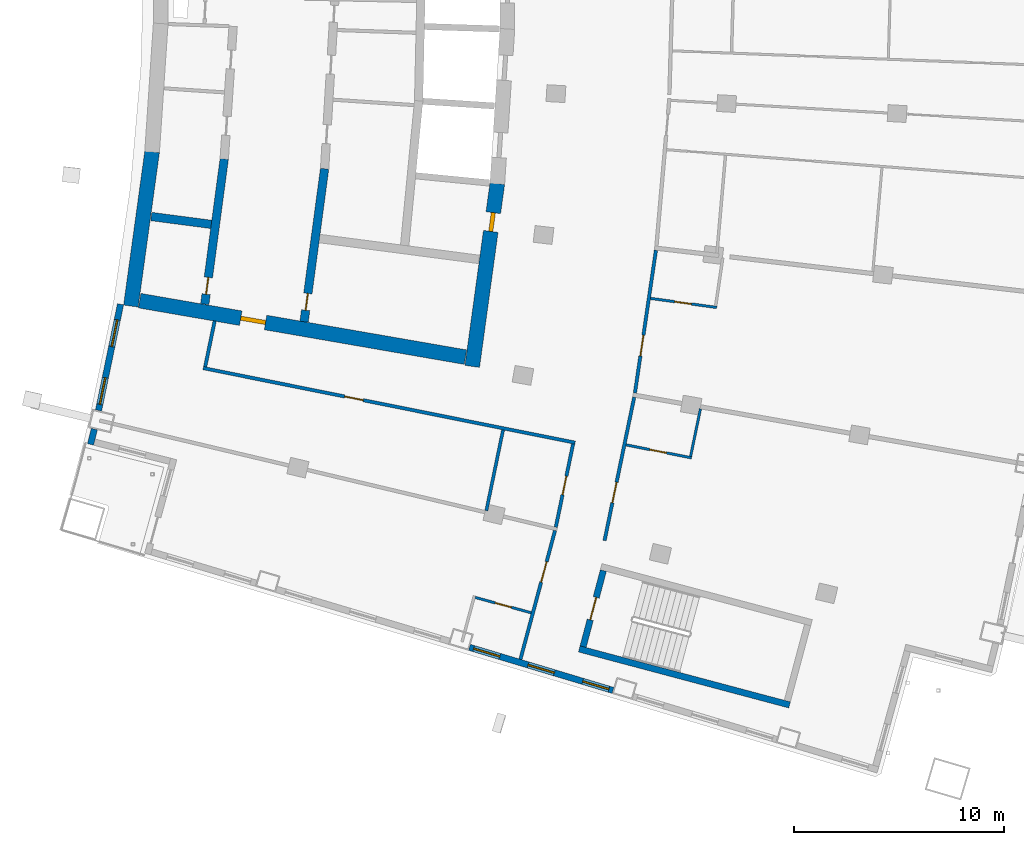
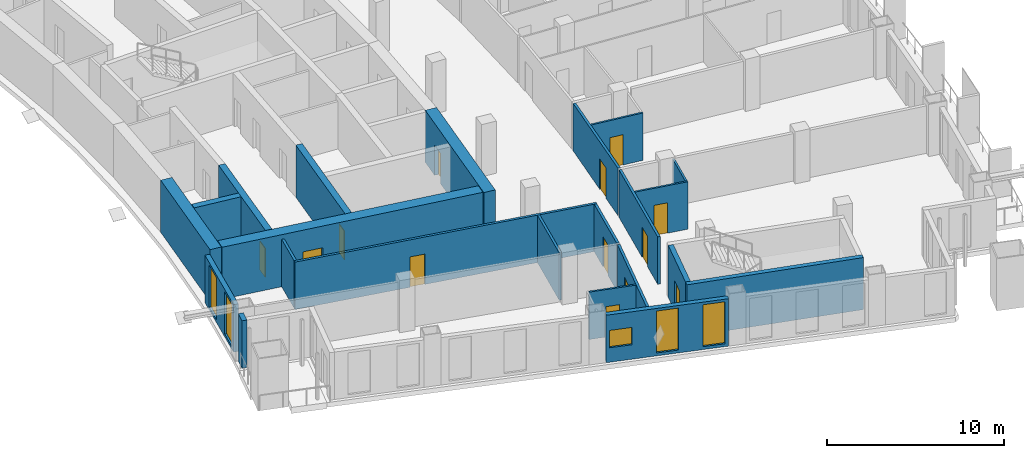
# One storey, part 11 of 21: 22 walls, 13 doors, 5 windows, 18 openings.
"""IFC4 building model written with IfcOpenShell, lengths in metres."""

from ifc_helpers import new_model, si_unit, direction, frame, frame_2d, origin, place, context, subcontext, project, spatial, rectangle, extrude, material, layer, layer_set, type_object, element, fill, save


model = new_model("IFC4")

# Units and contexts
model_context = context("Model", 3, precision=1e-05, world=origin(), true_north=direction((0.0, 1.0)))
body_context = subcontext(model_context, "Body", "Model", "MODEL_VIEW")
ifc_project = project(units=[si_unit("LENGTHUNIT", "METRE"), si_unit("AREAUNIT", "SQUARE_METRE"), si_unit("VOLUMEUNIT", "CUBIC_METRE"), si_unit("PLANEANGLEUNIT", "RADIAN"), si_unit("MASSUNIT", "GRAM", prefix="KILO")], contexts=[model_context])

# Site, building, storey
site_placement = place(None, origin())
site = spatial("IfcSite", under=ifc_project, at=site_placement, CompositionType="ELEMENT")
building_placement = place(site_placement, origin())
building = spatial("IfcBuilding", under=site, at=building_placement, Name="Alderwake Tower", CompositionType="ELEMENT")
storey_placement = place(building_placement, frame((0.0, 0.0, 146.0)))
storey = spatial("IfcBuildingStorey", under=building, at=storey_placement, Name="L35", CompositionType="ELEMENT", Elevation=146.0)

# Wall
ifc_material_1 = material(Name="Concrete C70/85", Category="concrete")
ifc_layer_1 = layer(ifc_material_1, 0.699951171875)
ifc_layer_set_1 = layer_set([ifc_layer_1], Name="Core wall outer 700 C70-85")
wall_type_1 = type_object("IfcWallType", Name="Core wall outer 700 C70-85", PredefinedType="SHEAR", material=ifc_layer_set_1)
wall_1_placement = place(storey_placement, frame((15.370849609375, 44.1376953125, 0.0), z_axis=(0.0, 0.0, 1.0), x_axis=(0.136315619812, 0.99066545907, 0.0)))
element("IfcWall", 1, at=wall_1_placement, inside=storey, type_object=wall_type_1, Name="Core wall CW.042", PredefinedType="SHEAR", context=body_context, shape_type="SweptSolid", body=[
    extrude(rectangle(XDim=7.420166015625, YDim=0.699951171875, at=frame_2d((3.7099609375, 0.0))), origin(), (0.0, 0.0, 1.0), 3.60009765625),
])

# Wall, opening, door
wall_2_placement = place(storey_placement, frame((32.81298828125, 49.97412109375, 0.0), z_axis=(0.0, 0.0, 1.0), x_axis=(-0.135835706655, -0.99073137671, 0.0)))
wall_2 = element("IfcWall", 2, at=wall_2_placement, inside=storey, type_object=wall_type_1, Name="Core wall CW.012", PredefinedType="SHEAR", context=body_context, shape_type="SweptSolid", body=[
    extrude(rectangle(XDim=8.790771484375, YDim=0.699951171875, at=frame_2d((4.3955078125, 0.0))), origin(), (0.0, 0.0, 1.0), 3.60009765625),
])
opening_1_placement = place(wall_2_placement, frame((1.40478515625, 0.0, 0.0)))
opening_1 = element("IfcOpeningElement", 3, at=opening_1_placement, cuts=wall_2, Name="Opening C050", PredefinedType="OPENING", context=body_context, shape_type="SweptSolid", body=[
    extrude(rectangle(XDim=0.89990234375, YDim=2.10009765625, at=frame_2d((0.449951171875, 1.050048828125))), frame((0.0, 0.35986328125, 0.0), z_axis=(0.0, -1.0, 0.0), x_axis=(1.0, 0.0, 0.0)), (0.0, 0.0, 1.0), 0.719970703125),
])
ifc_material_2 = material(Name="Painted steel leaf", Category="steel")
door_type_1 = type_object("IfcDoorType", Name="Core room door 900", OperationType="SINGLE_SWING_LEFT", PredefinedType="DOOR", material=ifc_material_2)
door_1_placement = place(opening_1_placement, origin())
door_1 = element("IfcDoor", 4, at=door_1_placement, inside=storey, type_object=door_type_1, Name="Room door", OperationType="SINGLE_SWING_RIGHT", OverallHeight=2.10009765625, OverallWidth=0.89990234375, PredefinedType="DOOR", context=body_context, shape_type="SweptSolid", body=[
    extrude(rectangle(XDim=0.89990234375, YDim=2.10009765625, at=frame_2d((0.449951171875, 1.050048828125))), frame((0.0, 0.10009765625, 0.0), z_axis=(0.0, -1.0, 0.0), x_axis=(1.0, 0.0, 0.0)), (0.0, 0.0, 1.0), 0.199951171875),
])
fill(opening_1, door_1)

wall_3_placement = place(storey_placement, frame((31.295654296875, 41.705810546875, 0.0), z_axis=(0.0, 0.0, 1.0), x_axis=(-0.985302589944, 0.170818050129, 0.0)))
wall_3 = element("IfcWall", 5, at=wall_3_placement, inside=storey, type_object=wall_type_1, Name="Core wall CW.072", PredefinedType="SHEAR", context=body_context, shape_type="SweptSolid", body=[
    extrude(rectangle(XDim=15.7373046875, YDim=0.699951171875, at=frame_2d((7.86865234375, 0.0))), origin(), (0.0, 0.0, 1.0), 3.60009765625),
])
opening_2_placement = place(wall_3_placement, frame((9.65576171875, 0.0, 0.0)))
opening_2 = element("IfcOpeningElement", 6, at=opening_2_placement, cuts=wall_3, Name="Opening C003", PredefinedType="OPENING", context=body_context, shape_type="SweptSolid", body=[
    extrude(rectangle(XDim=1.199951171875, YDim=2.10009765625, at=frame_2d((0.60009765625, 1.050048828125))), frame((0.0, 0.35986328125, 0.0), z_axis=(0.0, -1.0, 0.0), x_axis=(1.0, 0.0, 0.0)), (0.0, 0.0, 1.0), 0.719970703125),
])
ifc_material_3 = material(Name="Steel-framed fire door leaf", Category="steel")
door_type_2 = type_object("IfcDoorType", Name="Core lobby exit door 1200 fire-rated", OperationType="SINGLE_SWING_LEFT", PredefinedType="DOOR", material=ifc_material_3)
door_2_placement = place(opening_2_placement, origin())
door_2 = element("IfcDoor", 7, at=door_2_placement, inside=storey, type_object=door_type_2, Name="Lobby door", OperationType="SINGLE_SWING_LEFT", OverallHeight=2.10009765625, OverallWidth=1.199951171875, PredefinedType="DOOR", context=body_context, shape_type="SweptSolid", body=[
    extrude(rectangle(XDim=1.199951171875, YDim=2.10009765625, at=frame_2d((0.60009765625, 1.050048828125))), frame((0.0, 0.10009765625, 0.0), z_axis=(0.0, -1.0, 0.0), x_axis=(1.0, 0.0, 0.0)), (0.0, 0.0, 1.0), 0.199951171875),
])
fill(opening_2, door_2)

ifc_material_4 = material(Name="Concrete C70/85", Category="concrete")
ifc_layer_2 = layer(ifc_material_4, 0.39990234375)
ifc_layer_set_2 = layer_set([ifc_layer_2], Name="Core wall spine 400 C70-85")
wall_type_2 = type_object("IfcWallType", Name="Core wall spine 400 C70-85", PredefinedType="SHEAR", material=ifc_layer_set_2)
wall_4_placement = place(storey_placement, frame((19.814697265625, 51.143798828125, 0.0), z_axis=(0.0, 0.0, 1.0), x_axis=(-0.132864871698, -0.991134161387, 0.0)))
wall_4 = element("IfcWall", 8, at=wall_4_placement, inside=storey, type_object=wall_type_2, Name="Core wall CW.033", PredefinedType="SHEAR", context=body_context, shape_type="SweptSolid", body=[
    extrude(rectangle(XDim=6.978759765625, YDim=0.39990234375, at=frame_2d((3.4892578125, 0.0))), origin(), (0.0, 0.0, 1.0), 3.60009765625),
])
opening_3_placement = place(wall_4_placement, frame((5.69677734375, 0.0, 0.0)))
opening_3 = element("IfcOpeningElement", 9, at=opening_3_placement, cuts=wall_4, Name="Opening C007", PredefinedType="OPENING", context=body_context, shape_type="SweptSolid", body=[
    extrude(rectangle(XDim=0.800048828125, YDim=2.0, at=frame_2d((0.39990234375, 1.0))), frame((0.0, 0.2099609375, 0.0), z_axis=(0.0, -1.0, 0.0), x_axis=(1.0, 0.0, 0.0)), (0.0, 0.0, 1.0), 0.419921875),
])
ifc_material_5 = material(Name="Painted steel leaf, rated", Category="steel")
door_type_3 = type_object("IfcDoorType", Name="Riser access door 800", OperationType="SINGLE_SWING_LEFT", PredefinedType="DOOR", material=ifc_material_5)
door_3_placement = place(opening_3_placement, origin())
door_3 = element("IfcDoor", 10, at=door_3_placement, inside=storey, type_object=door_type_3, Name="Riser access door", OperationType="SINGLE_SWING_LEFT", OverallHeight=2.0, OverallWidth=0.800048828125, PredefinedType="DOOR", context=body_context, shape_type="SweptSolid", body=[
    extrude(rectangle(XDim=0.800048828125, YDim=2.0, at=frame_2d((0.39990234375, 1.0))), frame((0.0, 0.02490234375, 0.0), z_axis=(0.0, -1.0, 0.0), x_axis=(1.0, 0.0, 0.0)), (0.0, 0.0, 1.0), 0.050048828125),
])
fill(opening_3, door_3)

wall_5_placement = place(storey_placement, frame((23.6142578125, 43.390869140625, 0.0), z_axis=(0.0, 0.0, 1.0), x_axis=(0.133023466616, 0.991112888287, 0.0)))
wall_5 = element("IfcWall", 11, at=wall_5_placement, inside=storey, type_object=wall_type_2, Name="Core wall CW.047", PredefinedType="SHEAR", context=body_context, shape_type="SweptSolid", body=[
    extrude(rectangle(XDim=7.3466796875, YDim=0.39990234375, at=frame_2d((3.67333984375, 0.0))), origin(), (0.0, 0.0, 1.0), 3.60009765625),
])
opening_4_placement = place(wall_5_placement, frame((0.557861328125, 0.0, 0.0)))
opening_4 = element("IfcOpeningElement", 12, at=opening_4_placement, cuts=wall_5, Name="Opening C014", PredefinedType="OPENING", context=body_context, shape_type="SweptSolid", body=[
    extrude(rectangle(XDim=0.800048828125, YDim=2.0, at=frame_2d((0.39990234375, 1.0))), frame((0.0, 0.2099609375, 0.0), z_axis=(0.0, -1.0, 0.0), x_axis=(1.0, 0.0, 0.0)), (0.0, 0.0, 1.0), 0.419921875),
])
door_4_placement = place(opening_4_placement, origin())
door_4 = element("IfcDoor", 13, at=door_4_placement, inside=storey, type_object=door_type_3, Name="Riser access door", OperationType="SINGLE_SWING_RIGHT", OverallHeight=2.0, OverallWidth=0.800048828125, PredefinedType="DOOR", context=body_context, shape_type="SweptSolid", body=[
    extrude(rectangle(XDim=0.800048828125, YDim=2.0, at=frame_2d((0.39990234375, 1.0))), frame((0.0, 0.02490234375, 0.0), z_axis=(0.0, -1.0, 0.0), x_axis=(1.0, 0.0, 0.0)), (0.0, 0.0, 1.0), 0.050048828125),
])
fill(opening_4, door_4)

# Walls
wall_6_placement = place(storey_placement, frame((16.3408203125, 48.3994140625, 0.0), z_axis=(0.0, 0.0, 1.0), x_axis=(0.991544987266, -0.129763393253, 0.0)))
element("IfcWall", 14, at=wall_6_placement, inside=storey, type_object=wall_type_2, Name="Core wall CW.067", PredefinedType="SHEAR", context=body_context, shape_type="SweptSolid", body=[
    extrude(rectangle(XDim=2.878662109375, YDim=0.39990234375, at=frame_2d((1.439453125, 0.0))), origin(), (0.0, 0.0, 1.0), 3.60009765625),
])
ifc_material_6 = material(Name="Concrete C70/85", Category="concrete")
ifc_layer_3 = layer(ifc_material_6, 0.300048828125)
ifc_layer_set_3 = layer_set([ifc_layer_3], Name="Core wall stair enclosure 300 C70-85")
wall_type_3 = type_object("IfcWallType", Name="Core wall stair enclosure 300 C70-85", PredefinedType="SHEAR", material=ifc_layer_set_3)
wall_7_placement = place(storey_placement, frame((36.71142578125, 27.817626953125, 0.0), z_axis=(0.0, 0.0, 1.0), x_axis=(0.966309214305, -0.257383958996, 0.0)))
element("IfcWall", 15, at=wall_7_placement, inside=storey, type_object=wall_type_3, Name="Core wall CW.088", PredefinedType="SHEAR", context=body_context, shape_type="SweptSolid", body=[
    extrude(rectangle(XDim=10.360107421875, YDim=0.300048828125, at=frame_2d((5.18017578125, 0.0))), origin(), (0.0, 0.0, 1.0), 3.60009765625),
])

# Wall, opening, door
wall_8_placement = place(storey_placement, frame((36.89501953125, 27.923828125, 0.0), z_axis=(0.0, 0.0, 1.0), x_axis=(0.257350630826, 0.966318090907, 0.0)))
wall_8 = element("IfcWall", 16, at=wall_8_placement, inside=storey, type_object=wall_type_3, Name="Core wall CW.087", PredefinedType="SHEAR", context=body_context, shape_type="SweptSolid", body=[
    extrude(rectangle(XDim=3.75, YDim=0.300048828125, at=frame_2d((1.875, 0.0))), origin(), (0.0, 0.0, 1.0), 3.60009765625),
])
opening_5_placement = place(wall_8_placement, frame((1.324951171875, 0.0, 0.0)))
opening_5 = element("IfcOpeningElement", 17, at=opening_5_placement, cuts=wall_8, Name="Opening C065", PredefinedType="OPENING", context=body_context, shape_type="SweptSolid", body=[
    extrude(rectangle(XDim=1.10009765625, YDim=2.10009765625, at=frame_2d((0.550048828125, 1.050048828125))), frame((0.0, 0.159912109375, 0.0), z_axis=(0.0, -1.0, 0.0), x_axis=(1.0, 0.0, 0.0)), (0.0, 0.0, 1.0), 0.320068359375),
])
ifc_material_7 = material(Name="Steel-framed fire door leaf", Category="steel")
door_type_4 = type_object("IfcDoorType", Name="Core stair door 1100 fire-rated", OperationType="SINGLE_SWING_LEFT", PredefinedType="DOOR", material=ifc_material_7)
door_5_placement = place(opening_5_placement, origin())
door_5 = element("IfcDoor", 18, at=door_5_placement, inside=storey, type_object=door_type_4, Name="Stair door", OperationType="SINGLE_SWING_LEFT", OverallHeight=2.10009765625, OverallWidth=1.10009765625, PredefinedType="DOOR", context=body_context, shape_type="SweptSolid", body=[
    extrude(rectangle(XDim=1.10009765625, YDim=2.10009765625, at=frame_2d((0.550048828125, 1.050048828125))), frame((0.0, 0.02490234375, 0.0), z_axis=(0.0, -1.0, 0.0), x_axis=(1.0, 0.0, 0.0)), (0.0, 0.0, 1.0), 0.050048828125),
])
fill(opening_5, door_5)

ifc_material_8 = material(Name="Gypsum board on metal studs, rated")
ifc_layer_4 = layer(ifc_material_8, 0.159912109375)
ifc_layer_set_4 = layer_set([ifc_layer_4], Name="Corridor wall 160")
wall_type_4 = type_object("IfcWallType", Name="Corridor wall 160", PredefinedType="PARTITIONING", material=ifc_layer_set_4)
wall_9_placement = place(storey_placement, frame((36.513427734375, 37.63427734375, 0.0), z_axis=(0.0, 0.0, 1.0), x_axis=(-0.980470254867, 0.1966674333, 0.0)))
wall_9 = element("IfcWall", 19, at=wall_9_placement, inside=storey, type_object=wall_type_4, Name="WL/L35/W12", PredefinedType="PARTITIONING", context=body_context, shape_type="SweptSolid", body=[
    extrude(rectangle(XDim=18.053466796875, YDim=0.159912109375, at=frame_2d((9.02685546875, 0.0))), origin(), (0.0, 0.0, 1.0), 3.280029296875),
])
opening_6_placement = place(wall_9_placement, frame((10.277099609375, 0.0, 0.0)))
opening_6 = element("IfcOpeningElement", 20, at=opening_6_placement, cuts=wall_9, Name="Opening R09-SBS1", PredefinedType="OPENING", context=body_context, shape_type="SweptSolid", body=[
    extrude(rectangle(XDim=0.89990234375, YDim=2.10009765625, at=frame_2d((0.449951171875, 1.050048828125))), frame((0.0, 0.08984375, 0.0), z_axis=(0.0, -1.0, 0.0), x_axis=(1.0, 0.0, 0.0)), (0.0, 0.0, 1.0), 0.179931640625),
])
ifc_material_9 = material(Name="Painted timber leaf", Category="wood")
door_type_5 = type_object("IfcDoorType", Name="Room door 900", OperationType="SINGLE_SWING_LEFT", PredefinedType="DOOR", material=ifc_material_9)
door_6_placement = place(opening_6_placement, origin())
door_6 = element("IfcDoor", 21, at=door_6_placement, inside=storey, type_object=door_type_5, Name="DR/L35/SBS1", OperationType="SINGLE_SWING_LEFT", OverallHeight=2.10009765625, OverallWidth=0.89990234375, PredefinedType="DOOR", context=body_context, shape_type="SweptSolid", body=[
    extrude(rectangle(XDim=0.89990234375, YDim=2.10009765625, at=frame_2d((0.449951171875, 1.050048828125))), frame((0.0, 0.02490234375, 0.0), z_axis=(0.0, -1.0, 0.0), x_axis=(1.0, 0.0, 0.0)), (0.0, 0.0, 1.0), 0.050048828125),
])
fill(opening_6, door_6)

# Wall
wall_10_placement = place(storey_placement, frame((19.35888671875, 43.430908203125, 0.0), z_axis=(0.0, 0.0, 1.0), x_axis=(-0.202554916658, -0.979270905183, 0.0)))
element("IfcWall", 22, at=wall_10_placement, inside=storey, type_object=wall_type_4, Name="WL/L35/W13", PredefinedType="PARTITIONING", context=body_context, shape_type="SweptSolid", body=[
    extrude(rectangle(XDim=2.229736328125, YDim=0.159912109375, at=frame_2d((1.11474609375, 0.0))), origin(), (0.0, 0.0, 1.0), 3.280029296875),
])

# Wall, opening, door
wall_11_placement = place(storey_placement, frame((33.912109375, 27.321044921875, 0.0), z_axis=(0.0, 0.0, 1.0), x_axis=(0.259370874835, 0.965777794986, 0.0)))
wall_11 = element("IfcWall", 23, at=wall_11_placement, inside=storey, type_object=wall_type_4, Name="WL/L35/W16", PredefinedType="PARTITIONING", context=body_context, shape_type="SweptSolid", body=[
    extrude(rectangle(XDim=6.349853515625, YDim=0.159912109375, at=frame_2d((3.1748046875, 0.0))), origin(), (0.0, 0.0, 1.0), 3.280029296875),
])
opening_7_placement = place(wall_11_placement, frame((3.811279296875, 0.0, 0.0)))
opening_7 = element("IfcOpeningElement", 24, at=opening_7_placement, cuts=wall_11, Name="Opening R09-U08.1", PredefinedType="OPENING", context=body_context, shape_type="SweptSolid", body=[
    extrude(rectangle(XDim=1.0, YDim=2.10009765625, at=frame_2d((0.5, 1.050048828125))), frame((0.0, 0.08984375, 0.0), z_axis=(0.0, -1.0, 0.0), x_axis=(1.0, 0.0, 0.0)), (0.0, 0.0, 1.0), 0.179931640625),
])
ifc_material_10 = material(Name="Solid timber leaf in steel frame", Category="steel")
door_type_6 = type_object("IfcDoorType", Name="Flat entrance door 1000 fire-rated", OperationType="SINGLE_SWING_LEFT", PredefinedType="DOOR", material=ifc_material_10)
door_7_placement = place(opening_7_placement, origin())
door_7 = element("IfcDoor", 25, at=door_7_placement, inside=storey, type_object=door_type_6, Name="DR/L35/U08.1", OperationType="SINGLE_SWING_LEFT", OverallHeight=2.10009765625, OverallWidth=1.0, PredefinedType="DOOR", context=body_context, shape_type="SweptSolid", body=[
    extrude(rectangle(XDim=1.0, YDim=2.10009765625, at=frame_2d((0.5, 1.050048828125))), frame((0.0, 0.02490234375, 0.0), z_axis=(0.0, -1.0, 0.0), x_axis=(1.0, 0.0, 0.0)), (0.0, 0.0, 1.0), 0.050048828125),
])
fill(opening_7, door_7)

wall_12_placement = place(storey_placement, frame((35.59619140625, 33.609375, 0.0), z_axis=(0.0, 0.0, 1.0), x_axis=(0.203245920818, 0.979127721838, 0.0)))
wall_12 = element("IfcWall", 26, at=wall_12_placement, inside=storey, type_object=wall_type_4, Name="WL/L35/W19", PredefinedType="PARTITIONING", context=body_context, shape_type="SweptSolid", body=[
    extrude(rectangle(XDim=4.046875, YDim=0.159912109375, at=frame_2d((2.0234375, 0.0))), origin(), (0.0, 0.0, 1.0), 3.280029296875),
])
opening_8_placement = place(wall_12_placement, frame((1.573486328125, 0.0, 0.0)))
opening_8 = element("IfcOpeningElement", 27, at=opening_8_placement, cuts=wall_12, Name="Opening R09-SBS2", PredefinedType="OPENING", context=body_context, shape_type="SweptSolid", body=[
    extrude(rectangle(XDim=0.89990234375, YDim=2.10009765625, at=frame_2d((0.449951171875, 1.050048828125))), frame((0.0, 0.08984375, 0.0), z_axis=(0.0, -1.0, 0.0), x_axis=(1.0, 0.0, 0.0)), (0.0, 0.0, 1.0), 0.179931640625),
])
door_8_placement = place(opening_8_placement, origin())
door_8 = element("IfcDoor", 28, at=door_8_placement, inside=storey, type_object=door_type_5, Name="DR/L35/SBS2", OperationType="SINGLE_SWING_LEFT", OverallHeight=2.10009765625, OverallWidth=0.89990234375, PredefinedType="DOOR", context=body_context, shape_type="SweptSolid", body=[
    extrude(rectangle(XDim=0.89990234375, YDim=2.10009765625, at=frame_2d((0.449951171875, 1.050048828125))), frame((0.0, 0.02490234375, 0.0), z_axis=(0.0, -1.0, 0.0), x_axis=(1.0, 0.0, 0.0)), (0.0, 0.0, 1.0), 0.050048828125),
])
fill(opening_8, door_8)

wall_13_placement = place(storey_placement, frame((39.32763671875, 39.799072265625, 0.0), z_axis=(0.0, 0.0, 1.0), x_axis=(-0.202466556983, -0.979289177569, 0.0)))
wall_13 = element("IfcWall", 29, at=wall_13_placement, inside=storey, type_object=wall_type_4, Name="WL/L35/W21", PredefinedType="PARTITIONING", context=body_context, shape_type="SweptSolid", body=[
    extrude(rectangle(XDim=6.96728515625, YDim=0.159912109375, at=frame_2d((3.483642578125, 0.0))), origin(), (0.0, 0.0, 1.0), 3.280029296875),
])
opening_9_placement = place(wall_13_placement, frame((4.134765625, 0.0, 0.0)))
opening_9 = element("IfcOpeningElement", 30, at=opening_9_placement, cuts=wall_13, Name="Opening R09-U03.1", PredefinedType="OPENING", context=body_context, shape_type="SweptSolid", body=[
    extrude(rectangle(XDim=1.0, YDim=2.10009765625, at=frame_2d((0.5, 1.050048828125))), frame((0.0, 0.08984375, 0.0), z_axis=(0.0, -1.0, 0.0), x_axis=(1.0, 0.0, 0.0)), (0.0, 0.0, 1.0), 0.179931640625),
])
door_9_placement = place(opening_9_placement, origin())
door_9 = element("IfcDoor", 31, at=door_9_placement, inside=storey, type_object=door_type_6, Name="DR/L35/U03.1", OperationType="SINGLE_SWING_LEFT", OverallHeight=2.10009765625, OverallWidth=1.0, PredefinedType="DOOR", context=body_context, shape_type="SweptSolid", body=[
    extrude(rectangle(XDim=1.0, YDim=2.10009765625, at=frame_2d((0.5, 1.050048828125))), frame((0.0, 0.02490234375, 0.0), z_axis=(0.0, -1.0, 0.0), x_axis=(1.0, 0.0, 0.0)), (0.0, 0.0, 1.0), 0.050048828125),
])
fill(opening_9, door_9)

wall_14_placement = place(storey_placement, frame((40.3623046875, 46.7939453125, 0.0), z_axis=(0.0, 0.0, 1.0), x_axis=(-0.1455042199, -0.989357630987, 0.0)))
wall_14 = element("IfcWall", 32, at=wall_14_placement, inside=storey, type_object=wall_type_4, Name="WL/L35/W22", PredefinedType="PARTITIONING", context=body_context, shape_type="SweptSolid", body=[
    extrude(rectangle(XDim=6.87109375, YDim=0.159912109375, at=frame_2d((3.435546875, 0.0))), origin(), (0.0, 0.0, 1.0), 3.280029296875),
])
opening_10_placement = place(wall_14_placement, frame((4.087890625, 0.0, 0.0)))
opening_10 = element("IfcOpeningElement", 33, at=opening_10_placement, cuts=wall_14, Name="Opening R09-U04.1", PredefinedType="OPENING", context=body_context, shape_type="SweptSolid", body=[
    extrude(rectangle(XDim=1.0, YDim=2.10009765625, at=frame_2d((0.5, 1.050048828125))), frame((0.0, 0.08984375, 0.0), z_axis=(0.0, -1.0, 0.0), x_axis=(1.0, 0.0, 0.0)), (0.0, 0.0, 1.0), 0.179931640625),
])
door_10_placement = place(opening_10_placement, origin())
door_10 = element("IfcDoor", 34, at=door_10_placement, inside=storey, type_object=door_type_6, Name="DR/L35/U04.1", OperationType="SINGLE_SWING_LEFT", OverallHeight=2.10009765625, OverallWidth=1.0, PredefinedType="DOOR", context=body_context, shape_type="SweptSolid", body=[
    extrude(rectangle(XDim=1.0, YDim=2.10009765625, at=frame_2d((0.5, 1.050048828125))), frame((0.0, 0.02490234375, 0.0), z_axis=(0.0, -1.0, 0.0), x_axis=(1.0, 0.0, 0.0)), (0.0, 0.0, 1.0), 0.050048828125),
])
fill(opening_10, door_10)

# Wall
ifc_material_11 = material(Name="Precast concrete C50/60 spandrel panel", Category="concrete")
ifc_layer_5 = layer(ifc_material_11, 0.300048828125)
ifc_layer_set_5 = layer_set([ifc_layer_5], Name="External wall EW1 Precast concrete C50/60 spandrel")
wall_type_5 = type_object("IfcWallType", Name="External wall EW1 Precast concrete C50/60 spandrel", PredefinedType="SOLIDWALL", material=ifc_layer_set_5)
wall_15_placement = place(storey_placement, frame((13.63134765625, 38.28271484375, 0.0), z_axis=(0.0, 0.0, 1.0), x_axis=(-0.238336947214, -0.971182526404, 0.0)))
element("IfcWall", 35, at=wall_15_placement, inside=storey, type_object=wall_type_5, Name="External wall 1", PredefinedType="SOLIDWALL", context=body_context, shape_type="SweptSolid", body=[
    extrude(rectangle(XDim=0.7529296875, YDim=0.300048828125, at=frame_2d((0.37646484375, 0.0))), origin(), (0.0, 0.0, 1.0), 3.280029296875),
])

# Wall, openings, windows
wall_16_placement = place(storey_placement, frame((14.878173828125, 44.223388671875, 0.0), z_axis=(0.0, 0.0, 1.0), x_axis=(-0.202754243564, -0.979229654737, 0.0)))
wall_16 = element("IfcWall", 36, at=wall_16_placement, inside=storey, type_object=wall_type_5, Name="External wall 32", PredefinedType="SOLIDWALL", context=body_context, shape_type="SweptSolid", body=[
    extrude(rectangle(XDim=5.15966796875, YDim=0.300048828125, at=frame_2d((2.579833984375, 0.0))), origin(), (0.0, 0.0, 1.0), 3.280029296875),
])
opening_11_placement = place(wall_16_placement, frame((0.75634765625, 0.0, 0.199951171875)))
opening_11 = element("IfcOpeningElement", 37, at=opening_11_placement, cuts=wall_16, Name="Opening W1", PredefinedType="OPENING", context=body_context, shape_type="SweptSolid", body=[
    extrude(rectangle(XDim=1.300048828125, YDim=2.89990234375, at=frame_2d((0.64990234375, 1.449951171875))), frame((0.0, 0.159912109375, 0.0), z_axis=(0.0, -1.0, 0.0), x_axis=(1.0, 0.0, 0.0)), (0.0, 0.0, 1.0), 0.320068359375),
])
opening_12_placement = place(wall_16_placement, frame((3.569091796875, 0.0, 0.199951171875)))
opening_12 = element("IfcOpeningElement", 38, at=opening_12_placement, cuts=wall_16, Name="Opening W1", PredefinedType="OPENING", context=body_context, shape_type="SweptSolid", body=[
    extrude(rectangle(XDim=1.300048828125, YDim=2.89990234375, at=frame_2d((0.64990234375, 1.449951171875))), frame((0.0, 0.159912109375, 0.0), z_axis=(0.0, -1.0, 0.0), x_axis=(1.0, 0.0, 0.0)), (0.0, 0.0, 1.0), 0.320068359375),
])
ifc_material_12 = material(Name="Bronze tinted glass in aluminium frame", Category="aluminium")
window_type_1 = type_object("IfcWindowType", Name="Window W1 tall fixed and vent", PartitioningType="DOUBLE_PANEL_VERTICAL", PredefinedType="WINDOW", material=ifc_material_12)
window_1_placement = place(opening_11_placement, origin())
window_1 = element("IfcWindow", 39, at=window_1_placement, inside=storey, type_object=window_type_1, Name="Window W1 tall fixed and vent", OverallHeight=2.89990234375, OverallWidth=1.300048828125, PartitioningType="DOUBLE_PANEL_VERTICAL", PredefinedType="WINDOW", context=body_context, shape_type="SweptSolid", body=[
    extrude(rectangle(XDim=1.300048828125, YDim=2.89990234375, at=frame_2d((0.64990234375, 1.449951171875))), frame((0.0, 0.030029296875, 0.0), z_axis=(0.0, -1.0, 0.0), x_axis=(1.0, 0.0, 0.0)), (0.0, 0.0, 1.0), 0.06005859375),
])
fill(opening_11, window_1)
window_2_placement = place(opening_12_placement, origin())
window_2 = element("IfcWindow", 40, at=window_2_placement, inside=storey, type_object=window_type_1, Name="Window W1 tall fixed and vent", OverallHeight=2.89990234375, OverallWidth=1.300048828125, PartitioningType="DOUBLE_PANEL_VERTICAL", PredefinedType="WINDOW", context=body_context, shape_type="SweptSolid", body=[
    extrude(rectangle(XDim=1.300048828125, YDim=2.89990234375, at=frame_2d((0.64990234375, 1.449951171875))), frame((0.0, 0.030029296875, 0.0), z_axis=(0.0, -1.0, 0.0), x_axis=(1.0, 0.0, 0.0)), (0.0, 0.0, 1.0), 0.06005859375),
])
fill(opening_12, window_2)

ifc_material_13 = material(Name="Bronze metal cladding on lightweight framing")
ifc_layer_6 = layer(ifc_material_13, 0.300048828125)
ifc_layer_set_6 = layer_set([ifc_layer_6], Name="External wall EW2 bronze metal cladding")
wall_type_6 = type_object("IfcWallType", Name="External wall EW2 bronze metal cladding", PredefinedType="SOLIDWALL", material=ifc_layer_set_6)
wall_17_placement = place(storey_placement, frame((31.4892578125, 27.89306640625, 0.0), z_axis=(0.0, 0.0, 1.0), x_axis=(0.957766887781, -0.287545802735, 0.0)))
wall_17 = element("IfcWall", 41, at=wall_17_placement, inside=storey, type_object=wall_type_6, Name="External wall 6", PredefinedType="SOLIDWALL", context=body_context, shape_type="SweptSolid", body=[
    extrude(rectangle(XDim=7.12939453125, YDim=0.300048828125, at=frame_2d((3.564697265625, 0.0))), origin(), (0.0, 0.0, 1.0), 3.280029296875),
])
opening_13_placement = place(wall_17_placement, frame((0.20361328125, 0.0, 1.0)))
opening_13 = element("IfcOpeningElement", 42, at=opening_13_placement, cuts=wall_17, Name="Opening W2", PredefinedType="OPENING", context=body_context, shape_type="SweptSolid", body=[
    extrude(rectangle(XDim=1.300048828125, YDim=1.199951171875, at=frame_2d((0.64990234375, 0.60009765625))), frame((0.0, 0.159912109375, 0.0), z_axis=(0.0, -1.0, 0.0), x_axis=(1.0, 0.0, 0.0)), (0.0, 0.0, 1.0), 0.320068359375),
])
opening_14_placement = place(wall_17_placement, frame((2.91455078125, 0.0, 0.199951171875)))
opening_14 = element("IfcOpeningElement", 43, at=opening_14_placement, cuts=wall_17, Name="Opening W1", PredefinedType="OPENING", context=body_context, shape_type="SweptSolid", body=[
    extrude(rectangle(XDim=1.300048828125, YDim=2.89990234375, at=frame_2d((0.64990234375, 1.449951171875))), frame((0.0, 0.159912109375, 0.0), z_axis=(0.0, -1.0, 0.0), x_axis=(1.0, 0.0, 0.0)), (0.0, 0.0, 1.0), 0.320068359375),
])
opening_15_placement = place(wall_17_placement, frame((5.625732421875, 0.0, 0.199951171875)))
opening_15 = element("IfcOpeningElement", 44, at=opening_15_placement, cuts=wall_17, Name="Opening W1", PredefinedType="OPENING", context=body_context, shape_type="SweptSolid", body=[
    extrude(rectangle(XDim=1.300048828125, YDim=2.89990234375, at=frame_2d((0.64990234375, 1.449951171875))), frame((0.0, 0.159912109375, 0.0), z_axis=(0.0, -1.0, 0.0), x_axis=(1.0, 0.0, 0.0)), (0.0, 0.0, 1.0), 0.320068359375),
])
window_3_placement = place(opening_14_placement, origin())
window_3 = element("IfcWindow", 45, at=window_3_placement, inside=storey, type_object=window_type_1, Name="Window W1 tall fixed and vent", OverallHeight=2.89990234375, OverallWidth=1.300048828125, PartitioningType="DOUBLE_PANEL_VERTICAL", PredefinedType="WINDOW", context=body_context, shape_type="SweptSolid", body=[
    extrude(rectangle(XDim=1.300048828125, YDim=2.89990234375, at=frame_2d((0.64990234375, 1.449951171875))), frame((0.0, 0.030029296875, 0.0), z_axis=(0.0, -1.0, 0.0), x_axis=(1.0, 0.0, 0.0)), (0.0, 0.0, 1.0), 0.06005859375),
])
fill(opening_14, window_3)
window_4_placement = place(opening_15_placement, origin())
window_4 = element("IfcWindow", 46, at=window_4_placement, inside=storey, type_object=window_type_1, Name="Window W1 tall fixed and vent", OverallHeight=2.89990234375, OverallWidth=1.300048828125, PartitioningType="DOUBLE_PANEL_VERTICAL", PredefinedType="WINDOW", context=body_context, shape_type="SweptSolid", body=[
    extrude(rectangle(XDim=1.300048828125, YDim=2.89990234375, at=frame_2d((0.64990234375, 1.449951171875))), frame((0.0, 0.030029296875, 0.0), z_axis=(0.0, -1.0, 0.0), x_axis=(1.0, 0.0, 0.0)), (0.0, 0.0, 1.0), 0.06005859375),
])
fill(opening_15, window_4)
ifc_material_14 = material(Name="Bronze tinted glass in aluminium frame", Category="aluminium")
window_type_2 = type_object("IfcWindowType", Name="Window W2 kitchen and bath", PartitioningType="SINGLE_PANEL", PredefinedType="WINDOW", material=ifc_material_14)
window_5_placement = place(opening_13_placement, origin())
window_5 = element("IfcWindow", 47, at=window_5_placement, inside=storey, type_object=window_type_2, Name="Window W2 kitchen and bath", OverallHeight=1.199951171875, OverallWidth=1.300048828125, PartitioningType="SINGLE_PANEL", PredefinedType="WINDOW", context=body_context, shape_type="SweptSolid", body=[
    extrude(rectangle(XDim=1.300048828125, YDim=1.199951171875, at=frame_2d((0.64990234375, 0.60009765625))), frame((0.0, 0.030029296875, 0.0), z_axis=(0.0, -1.0, 0.0), x_axis=(1.0, 0.0, 0.0)), (0.0, 0.0, 1.0), 0.06005859375),
])
fill(opening_13, window_5)

# Wall
ifc_material_15 = material(Name="Gypsum shaft wall system, rated")
ifc_layer_7 = layer(ifc_material_15, 0.14990234375)
ifc_layer_set_7 = layer_set([ifc_layer_7], Name="Riser and shaft wall 150")
wall_type_7 = type_object("IfcWallType", Name="Riser and shaft wall 150", PredefinedType="PARTITIONING", material=ifc_layer_set_7)
wall_18_placement = place(storey_placement, frame((32.290283203125, 34.3955078125, 0.0), z_axis=(0.0, 0.0, 1.0), x_axis=(0.202568596204, 0.979268075571, 0.0)))
element("IfcWall", 48, at=wall_18_placement, inside=storey, type_object=wall_type_7, Name="WL/L35/W07", PredefinedType="PARTITIONING", context=body_context, shape_type="SweptSolid", body=[
    extrude(rectangle(XDim=3.926513671875, YDim=0.14990234375, at=frame_2d((1.96337890625, 0.0))), origin(), (0.0, 0.0, 1.0), 3.280029296875),
])

# Wall, opening, door
ifc_material_16 = material(Name="Moisture resistant gypsum board on metal studs")
ifc_layer_8 = layer(ifc_material_16, 0.1201171875)
ifc_layer_set_8 = layer_set([ifc_layer_8], Name="Wet room partition 120")
wall_type_8 = type_object("IfcWallType", Name="Wet room partition 120", PredefinedType="PARTITIONING", material=ifc_layer_set_8)
wall_19_placement = place(storey_placement, frame((34.42578125, 29.5380859375, 0.0), z_axis=(0.0, 0.0, 1.0), x_axis=(-0.964278304966, 0.264891205163, 0.0)))
wall_19 = element("IfcWall", 49, at=wall_19_placement, inside=storey, type_object=wall_type_8, Name="WL/L35/W33", PredefinedType="PARTITIONING", context=body_context, shape_type="SweptSolid", body=[
    extrude(rectangle(XDim=2.759521484375, YDim=0.1201171875, at=frame_2d((1.3798828125, 0.0))), origin(), (0.0, 0.0, 1.0), 3.280029296875),
])
opening_16_placement = place(wall_19_placement, frame((0.979736328125, 0.0, 0.0)))
opening_16 = element("IfcOpeningElement", 50, at=opening_16_placement, cuts=wall_19, Name="Opening R09-U08.2", PredefinedType="OPENING", context=body_context, shape_type="SweptSolid", body=[
    extrude(rectangle(XDim=0.800048828125, YDim=2.10009765625, at=frame_2d((0.39990234375, 1.050048828125))), frame((0.0, 0.070068359375, 0.0), z_axis=(0.0, -1.0, 0.0), x_axis=(1.0, 0.0, 0.0)), (0.0, 0.0, 1.0), 0.14013671875),
])
ifc_material_17 = material(Name="Painted timber leaf", Category="wood")
door_type_7 = type_object("IfcDoorType", Name="Bathroom door 800", OperationType="SINGLE_SWING_LEFT", PredefinedType="DOOR", material=ifc_material_17)
door_11_placement = place(opening_16_placement, origin())
door_11 = element("IfcDoor", 51, at=door_11_placement, inside=storey, type_object=door_type_7, Name="DR/L35/U08.2", OperationType="SINGLE_SWING_LEFT", OverallHeight=2.10009765625, OverallWidth=0.800048828125, PredefinedType="DOOR", context=body_context, shape_type="SweptSolid", body=[
    extrude(rectangle(XDim=0.800048828125, YDim=2.10009765625, at=frame_2d((0.39990234375, 1.050048828125))), frame((0.0, 0.02490234375, 0.0), z_axis=(0.0, -1.0, 0.0), x_axis=(1.0, 0.0, 0.0)), (0.0, 0.0, 1.0), 0.050048828125),
])
fill(opening_16, door_11)

wall_20_placement = place(storey_placement, frame((38.9404296875, 37.529541015625, 0.0), z_axis=(0.0, 0.0, 1.0), x_axis=(0.980971571819, -0.194151423593, 0.0)))
wall_20 = element("IfcWall", 52, at=wall_20_placement, inside=storey, type_object=wall_type_8, Name="WL/L35/W34", PredefinedType="PARTITIONING", context=body_context, shape_type="SweptSolid", body=[
    extrude(rectangle(XDim=3.178955078125, YDim=0.1201171875, at=frame_2d((1.58935546875, 0.0))), origin(), (0.0, 0.0, 1.0), 3.280029296875),
])
opening_17_placement = place(wall_20_placement, frame((1.1591796875, 0.0, 0.0)))
opening_17 = element("IfcOpeningElement", 53, at=opening_17_placement, cuts=wall_20, Name="Opening R09-U03.2", PredefinedType="OPENING", context=body_context, shape_type="SweptSolid", body=[
    extrude(rectangle(XDim=0.800048828125, YDim=2.10009765625, at=frame_2d((0.39990234375, 1.050048828125))), frame((0.0, 0.070068359375, 0.0), z_axis=(0.0, -1.0, 0.0), x_axis=(1.0, 0.0, 0.0)), (0.0, 0.0, 1.0), 0.14013671875),
])
door_12_placement = place(opening_17_placement, origin())
door_12 = element("IfcDoor", 54, at=door_12_placement, inside=storey, type_object=door_type_7, Name="DR/L35/U03.2", OperationType="SINGLE_SWING_LEFT", OverallHeight=2.10009765625, OverallWidth=0.800048828125, PredefinedType="DOOR", context=body_context, shape_type="SweptSolid", body=[
    extrude(rectangle(XDim=0.800048828125, YDim=2.10009765625, at=frame_2d((0.39990234375, 1.050048828125))), frame((0.0, 0.02490234375, 0.0), z_axis=(0.0, -1.0, 0.0), x_axis=(1.0, 0.0, 0.0)), (0.0, 0.0, 1.0), 0.050048828125),
])
fill(opening_17, door_12)

wall_21_placement = place(storey_placement, frame((40.105224609375, 44.503173828125, 0.0), z_axis=(0.0, 0.0, 1.0), x_axis=(0.990717255946, -0.135938658114, 0.0)))
wall_21 = element("IfcWall", 55, at=wall_21_placement, inside=storey, type_object=wall_type_8, Name="WL/L35/W35", PredefinedType="PARTITIONING", context=body_context, shape_type="SweptSolid", body=[
    extrude(rectangle(XDim=3.1806640625, YDim=0.1201171875, at=frame_2d((1.59033203125, 0.0))), origin(), (0.0, 0.0, 1.0), 3.280029296875),
])
opening_18_placement = place(wall_21_placement, frame((1.159912109375, 0.0, 0.0)))
opening_18 = element("IfcOpeningElement", 56, at=opening_18_placement, cuts=wall_21, Name="Opening R09-U04.2", PredefinedType="OPENING", context=body_context, shape_type="SweptSolid", body=[
    extrude(rectangle(XDim=0.800048828125, YDim=2.10009765625, at=frame_2d((0.39990234375, 1.050048828125))), frame((0.0, 0.070068359375, 0.0), z_axis=(0.0, -1.0, 0.0), x_axis=(1.0, 0.0, 0.0)), (0.0, 0.0, 1.0), 0.14013671875),
])
door_13_placement = place(opening_18_placement, origin())
door_13 = element("IfcDoor", 57, at=door_13_placement, inside=storey, type_object=door_type_7, Name="DR/L35/U04.2", OperationType="SINGLE_SWING_LEFT", OverallHeight=2.10009765625, OverallWidth=0.800048828125, PredefinedType="DOOR", context=body_context, shape_type="SweptSolid", body=[
    extrude(rectangle(XDim=0.800048828125, YDim=2.10009765625, at=frame_2d((0.39990234375, 1.050048828125))), frame((0.0, 0.02490234375, 0.0), z_axis=(0.0, -1.0, 0.0), x_axis=(1.0, 0.0, 0.0)), (0.0, 0.0, 1.0), 0.050048828125),
])
fill(opening_18, door_13)

# Wall
wall_22_placement = place(storey_placement, frame((42.01220703125, 36.98291015625, 0.0), z_axis=(0.0, 0.0, 1.0), x_axis=(0.202902782082, 0.979198887368, 0.0)))
element("IfcWall", 58, at=wall_22_placement, inside=storey, type_object=wall_type_8, Name="WL/L35/W36", PredefinedType="PARTITIONING", context=body_context, shape_type="SweptSolid", body=[
    extrude(rectangle(XDim=2.30908203125, YDim=0.1201171875, at=frame_2d((1.154541015625, 0.0))), origin(), (0.0, 0.0, 1.0), 3.280029296875),
])

save(model, "model.ifc")
